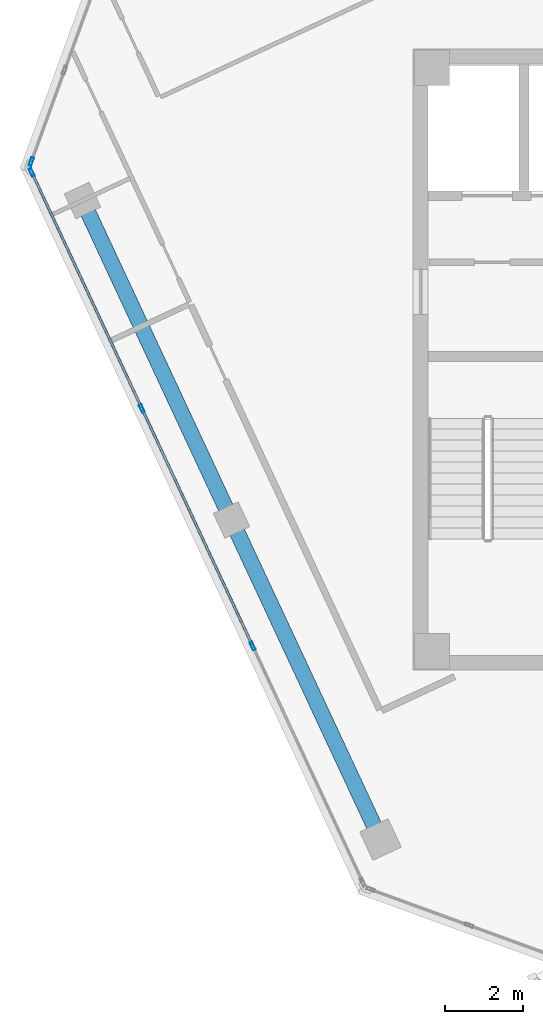
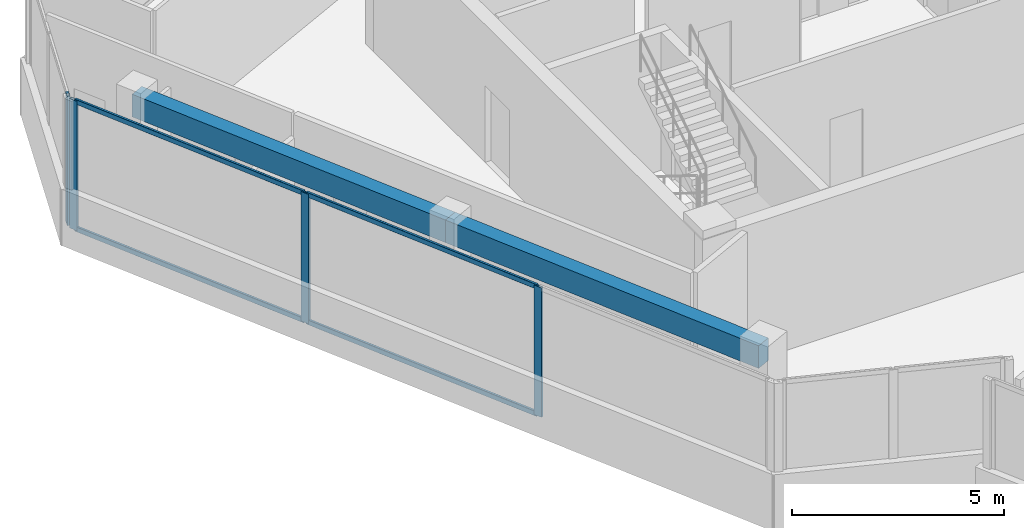
# One storey, part 5 of 17: 8 members, 2 beams, 2 elements without a shape of their own.
"""IFC4 building model written with IfcOpenShell, lengths in metres."""

from ifc_helpers import new_model, si_unit, direction, frame, origin, origin_2d, place, context, subcontext, project, spatial, rectangle, hollow_rectangle, extrude, source, transform, mapped, material, material_profile, profile_set, type_object, element, aggregate, save


model = new_model("IFC4")

# Units and contexts
model_context = context("Model", 3, precision=1e-05, world=origin(), true_north=direction((0.0, 1.0)))
body_context = subcontext(model_context, "Body", "Model", "MODEL_VIEW")
ifc_project = project(units=[si_unit("LENGTHUNIT", "METRE"), si_unit("AREAUNIT", "SQUARE_METRE"), si_unit("VOLUMEUNIT", "CUBIC_METRE"), si_unit("PLANEANGLEUNIT", "RADIAN"), si_unit("MASSUNIT", "GRAM", prefix="KILO")], contexts=[model_context])

# Site, building, storey
site_placement = place(None, origin())
site = spatial("IfcSite", under=ifc_project, at=site_placement, CompositionType="ELEMENT")
building_placement = place(site_placement, origin())
building = spatial("IfcBuilding", under=site, at=building_placement, Name="Torre Montelarca", CompositionType="ELEMENT")
storey_placement = place(building_placement, frame((0.0, 0.0, 340.800048828125)))
storey = spatial("IfcBuildingStorey", under=building, at=storey_placement, Name="L77", CompositionType="ELEMENT", Elevation=340.800048828125)

# Beams
ifc_material_1 = material(Name="Concrete C40/50", Category="concrete")
ifc_material_profile_1 = material_profile(ifc_material_1, rectangle(XDim=0.39990234375, YDim=0.64990234375, at=origin_2d()), Name="RCB400X650", Category="concrete")
ifc_profile_set_1 = profile_set([ifc_material_profile_1], Name="Concrete C40/50")
beam_type = type_object("IfcBeamType", Name="BM-SP-RC650-EXT", PredefinedType="SPANDREL", material=ifc_profile_set_1)
shared_shape_1 = source(origin(), body_context, "Body", "SweptSolid", [
    extrude(rectangle(XDim=0.39990234375, YDim=0.64990234375, at=origin_2d()), origin(), (0.0, 0.0, 1.0), 9.0),
])
for number, where, z_axis, x_axis, name in (
    (1, (0.62890625, 36.059814453125, 3.635009765625), (0.422610711302, -0.906311307826, 0.0), (0.906311307826, 0.422610711302, 0.0), "L77 Grid Girder X 9.0-18.0 at Y=14.8"),
    (2, (4.432373046875, 27.903076171875, 3.635009765625), (0.422610711302, -0.906311307826, 0.0), (0.906311307826, 0.422610711302, 0.0), "L77 Grid Girder X 18.0-27.0 at Y=14.8"),
):
    element("IfcBeam", number, at=place(storey_placement, frame(where, z_axis=z_axis, x_axis=x_axis)), inside=storey, type_object=beam_type, Name=name, PredefinedType="SPANDREL", context=body_context, shape_type="MappedRepresentation", body=[
        mapped(shared_shape_1, transform((0.0, 0.0, 0.0), scale=1.0)),
    ])

# Curtain wall, members
ifc_material_2 = material(Name="Insulated low-E laminated glass", Category="glass")
curtain_wall_type = type_object("IfcCurtainWallType", Name="CW-SYS-Z4", PredefinedType="USERDEFINED", material=ifc_material_2)
curtain_wall_1_placement = place(storey_placement, origin())
curtain_wall_1 = element("IfcCurtainWall", 3, at=curtain_wall_1_placement, inside=storey, type_object=curtain_wall_type, Name="L77 Curtain Wall Run CW-T3-L77-E01-B1", ObjectType="UNITISED GLAZING", PredefinedType="USERDEFINED")
ifc_material_3 = material(Name="Anodised aluminium AA 6063-T6", Category="aluminium")
ifc_material_profile_2 = material_profile(ifc_material_3, hollow_rectangle(XDim=0.074951171875, YDim=0.219970703125, WallThickness=0.0048828125, InnerFilletRadius=0.0048828125, OuterFilletRadius=0.010009765625, at=origin_2d()), Name="ALU75X220X5", Category="aluminium")
ifc_profile_set_2 = profile_set([ifc_material_profile_2], Name="Anodised aluminium AA 6063-T6")
member_type_1 = type_object("IfcMemberType", Name="CWM-ALU220", PredefinedType="MULLION", material=ifc_profile_set_2)
shared_shape_2 = source(origin(), body_context, "Body", "SweptSolid", [
    extrude(hollow_rectangle(XDim=0.074951171875, YDim=0.219970703125, WallThickness=0.0048828125, InnerFilletRadius=0.0048828125, OuterFilletRadius=0.010009765625, at=origin_2d()), origin(), (0.0, 0.0, 1.0), 3.719970703125),
])
member_1_placement = place(storey_placement, frame((-0.665283203125, 36.776611328125, 0.0), z_axis=(0.0, 0.0, 1.0), x_axis=(0.906310655964, 0.422612109251, 0.0)))
member_1 = element("IfcMember", 4, at=member_1_placement, type_object=member_type_1, Name="CW mullion 1", PredefinedType="MULLION", context=body_context, shape_type="MappedRepresentation", body=[
    mapped(shared_shape_2, transform((0.0, 0.0, 0.0), scale=1.0)),
])
member_2_placement = place(storey_placement, frame((2.145751953125, 30.747802734375, 0.0), z_axis=(0.0, 0.0, 1.0), x_axis=(0.906310655964, 0.422612109251, 0.0)))
member_2 = element("IfcMember", 5, at=member_2_placement, type_object=member_type_1, Name="CW mullion 2", PredefinedType="MULLION", context=body_context, shape_type="MappedRepresentation", body=[
    mapped(shared_shape_2, transform((0.0, 0.0, 0.0), scale=1.0)),
])
member_3_placement = place(storey_placement, frame((4.972900390625, 24.685302734375, 0.0), z_axis=(0.0, 0.0, 1.0), x_axis=(0.906310655964, 0.422612109251, 0.0)))
member_3 = element("IfcMember", 6, at=member_3_placement, type_object=member_type_1, Name="CW mullion 3", PredefinedType="MULLION", context=body_context, shape_type="MappedRepresentation", body=[
    mapped(shared_shape_2, transform((0.0, 0.0, 0.0), scale=1.0)),
])

# Curtain wall, member
curtain_wall_2_placement = place(storey_placement, origin())
curtain_wall_2 = element("IfcCurtainWall", 7, at=curtain_wall_2_placement, inside=storey, type_object=curtain_wall_type, Name="L77 Curtain Wall Run CW-T3-L77-E11-B1", ObjectType="UNITISED GLAZING", PredefinedType="USERDEFINED")
member_4_placement = place(storey_placement, frame((-0.677490234375, 37.052734375, 0.0), z_axis=(0.0, 0.0, 1.0), x_axis=(0.939694365175, -0.342015350618, 0.0)))
member_4 = element("IfcMember", 8, at=member_4_placement, type_object=member_type_1, Name="CW mullion 3", PredefinedType="MULLION", context=body_context, shape_type="MappedRepresentation", body=[
    mapped(shared_shape_2, transform((0.0, 0.0, 0.0), scale=1.0)),
])
aggregate(curtain_wall_2, [member_4])

# Member
ifc_material_profile_3 = material_profile(ifc_material_3, hollow_rectangle(XDim=0.06494140625, YDim=0.139892578125, WallThickness=0.00390625, InnerFilletRadius=0.00390625, OuterFilletRadius=0.008056640625, at=origin_2d()), Name="ALU65X140X4", Category="aluminium")
ifc_profile_set_3 = profile_set([ifc_material_profile_3], Name="Anodised aluminium AA 6063-T6")
member_type_2 = type_object("IfcMemberType", Name="CWT-ALU140", PredefinedType="USERDEFINED", material=ifc_profile_set_3)
shared_shape_3 = source(origin(), body_context, "Body", "SweptSolid", [
    extrude(hollow_rectangle(XDim=0.06494140625, YDim=0.139892578125, WallThickness=0.00390625, InnerFilletRadius=0.00390625, OuterFilletRadius=0.008056640625, at=origin_2d()), origin(), (0.0, 0.0, 1.0), 6.576904296875),
])
member_5_placement = place(storey_placement, frame((-0.6494140625, 36.74267578125, 0.032470703125), z_axis=(0.422590774398, -0.906320604087, 0.0), x_axis=(0.906320604087, 0.422590774398, 0.0)))
member_5 = element("IfcMember", 9, at=member_5_placement, type_object=member_type_2, Name="CW transom 1.1", ObjectType="TRANSOM", PredefinedType="USERDEFINED", context=body_context, shape_type="MappedRepresentation", body=[
    mapped(shared_shape_3, transform((0.0, 0.0, 0.0), scale=1.0)),
])

member_6_placement = place(storey_placement, frame((-0.6494140625, 36.74267578125, 3.6875), z_axis=(0.422590774398, -0.906320604087, 0.0), x_axis=(0.906320604087, 0.422590774398, 0.0)))
member_6 = element("IfcMember", 10, at=member_6_placement, type_object=member_type_2, Name="CW transom 1.2", ObjectType="TRANSOM", PredefinedType="USERDEFINED", context=body_context, shape_type="MappedRepresentation", body=[
    mapped(shared_shape_3, transform((0.0, 0.0, 0.0), scale=1.0)),
])

shared_shape_4 = source(origin(), body_context, "Body", "SweptSolid", [
    extrude(hollow_rectangle(XDim=0.06494140625, YDim=0.139892578125, WallThickness=0.00390625, InnerFilletRadius=0.00390625, OuterFilletRadius=0.008056640625, at=origin_2d()), origin(), (0.0, 0.0, 1.0), 6.6142578125),
])
member_7_placement = place(storey_placement, frame((2.16162109375, 30.7138671875, 0.032470703125), z_axis=(0.42262680422, -0.906303803564, 0.0), x_axis=(0.906303803564, 0.42262680422, 0.0)))
member_7 = element("IfcMember", 11, at=member_7_placement, type_object=member_type_2, Name="CW transom 2.1", ObjectType="TRANSOM", PredefinedType="USERDEFINED", context=body_context, shape_type="MappedRepresentation", body=[
    mapped(shared_shape_4, transform((0.0, 0.0, 0.0), scale=1.0)),
])

member_8_placement = place(storey_placement, frame((2.16162109375, 30.7138671875, 3.6875), z_axis=(0.42262680422, -0.906303803564, 0.0), x_axis=(0.906303803564, 0.42262680422, 0.0)))
member_8 = element("IfcMember", 12, at=member_8_placement, type_object=member_type_2, Name="CW transom 2.2", ObjectType="TRANSOM", PredefinedType="USERDEFINED", context=body_context, shape_type="MappedRepresentation", body=[
    mapped(shared_shape_4, transform((0.0, 0.0, 0.0), scale=1.0)),
])

aggregate(curtain_wall_1, [member_1, member_2, member_3, member_5, member_6, member_7, member_8])

save(model, "model.ifc")
